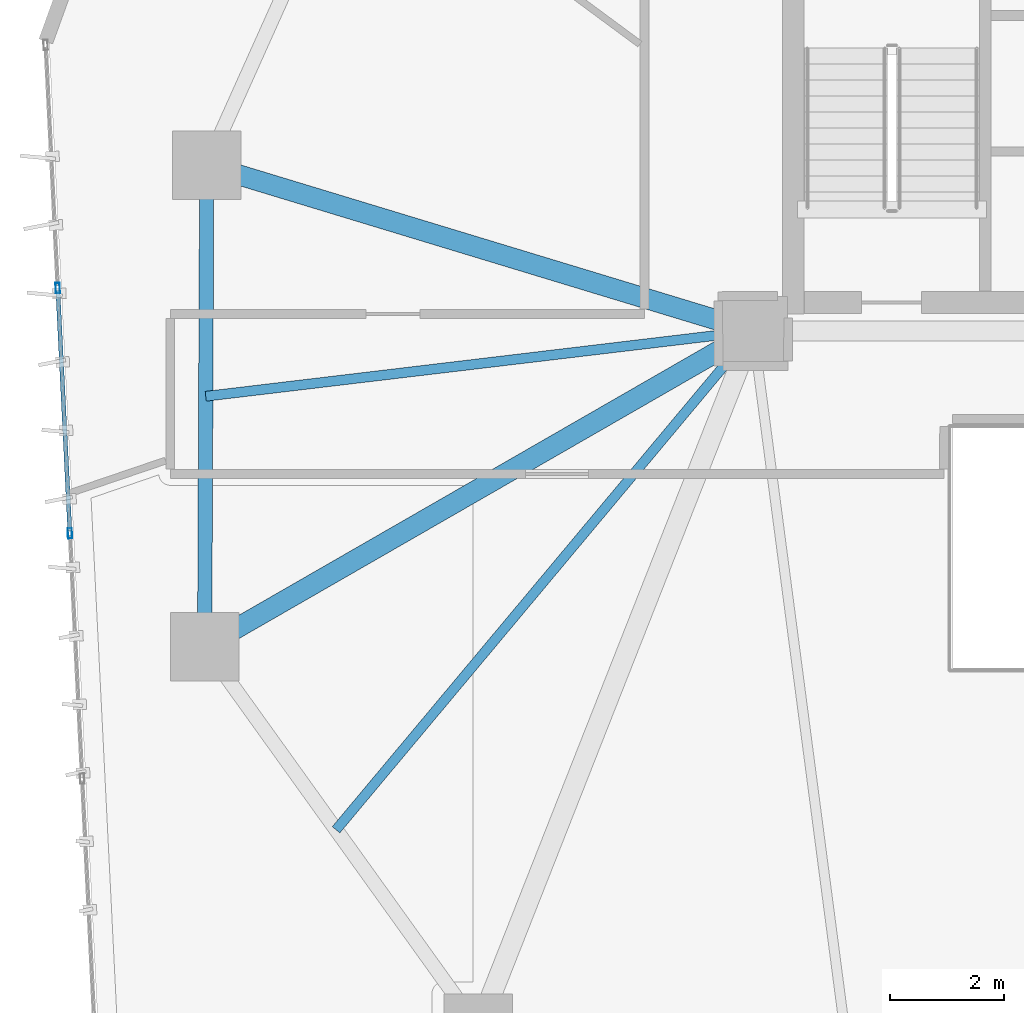
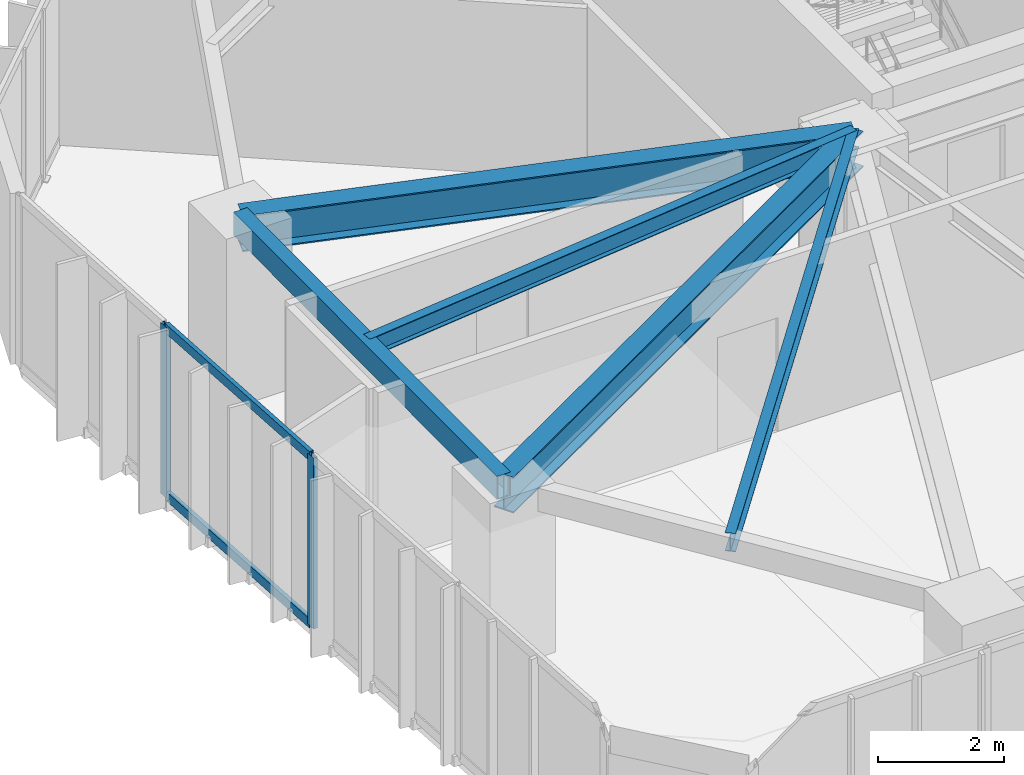
# One storey, part 4 of 21: 5 beams, 4 members, 1 element without a shape of its own.
"""IFC4 building model written with IfcOpenShell, lengths in metres."""

from ifc_helpers import new_model, si_unit, direction, frame, origin, origin_2d, place, context, subcontext, project, spatial, hollow_rectangle, i_section, extrude, source, transform, mapped, material, layer, layer_set, material_profile, profile_set, type_object, type_shapes, element, aggregate, save


model = new_model("IFC4")

# Units and contexts
model_context = context("Model", 3, precision=1e-05, world=origin(), true_north=direction((0.0, 1.0)))
body_context = subcontext(model_context, "Body", "Model", "MODEL_VIEW")
ifc_project = project(units=[si_unit("LENGTHUNIT", "METRE"), si_unit("AREAUNIT", "SQUARE_METRE"), si_unit("VOLUMEUNIT", "CUBIC_METRE"), si_unit("PLANEANGLEUNIT", "RADIAN"), si_unit("MASSUNIT", "GRAM", prefix="KILO")], contexts=[model_context])

# Site, building, storey
site_placement = place(None, origin())
site = spatial("IfcSite", under=ifc_project, at=site_placement, CompositionType="ELEMENT")
building_placement = place(site_placement, origin())
building = spatial("IfcBuilding", under=site, at=building_placement, Name="Talar Marvaseh", CompositionType="ELEMENT")
storey_placement = place(building_placement, frame((0.0, 0.0, 93.0)))
storey = spatial("IfcBuildingStorey", under=building, at=storey_placement, Name="L23", CompositionType="ELEMENT", Elevation=93.0)

# Beams
ifc_material_1 = material(Name="Steel S355", Category="steel")
ifc_material_profile_1 = material_profile(ifc_material_1, hollow_rectangle(XDim=0.25, YDim=0.449951171875, WallThickness=0.01611328125, at=origin_2d()), Name="RHS450x250x16")
ifc_profile_set_1 = profile_set([ifc_material_profile_1], Name="Steel S355")
beam_type_1 = type_object("IfcBeamType", Name="Zone 2 Perimeter Spandrel Beam RHS450x250x16", PredefinedType="SPANDREL", material=ifc_profile_set_1)
beam_1_placement = place(storey_placement, frame((9.10107421875, 19.97705078125, 3.0849609375), z_axis=(0.004375628226, 0.999990426893, 0.0), x_axis=(-0.999990426893, 0.004375628226, 0.0)))
element("IfcBeam", 1, at=beam_1_placement, inside=storey, type_object=beam_type_1, Name="L23 Zone 2 Perimeter Spandrel Beam RHS450x250x16", PredefinedType="SPANDREL", context=body_context, shape_type="SweptSolid", body=[
    extrude(hollow_rectangle(XDim=0.25, YDim=0.449951171875, WallThickness=0.01611328125, at=origin_2d()), origin(), (0.0, 0.0, 1.0), 8.425048828125),
])
ifc_material_profile_2 = material_profile(ifc_material_1, i_section(OverallWidth=0.35498046875, OverallDepth=0.695068359375, WebThickness=0.015380859375, FlangeThickness=0.02490234375, at=origin_2d()), Name="W690x217")
ifc_profile_set_2 = profile_set([ifc_material_profile_2], Name="Steel S355")
beam_type_2 = type_object("IfcBeamType", Name="Zone 2 Radial Floor Girder W690x217", PredefinedType="BEAM", material=ifc_profile_set_2)
beam_2_placement = place(storey_placement, frame((9.10107421875, 19.97705078125, 2.96240234375), z_axis=(0.866765990926, 0.498715065919, 0.0), x_axis=(-0.498715065919, 0.866765990926, 0.0)))
element("IfcBeam", 2, at=beam_2_placement, inside=storey, type_object=beam_type_2, Name="L23 Zone 2 Radial Floor Girder W690x217", PredefinedType="BEAM", context=body_context, shape_type="SweptSolid", body=[
    extrude(i_section(OverallWidth=0.35498046875, OverallDepth=0.695068359375, WebThickness=0.015380859375, FlangeThickness=0.02490234375, at=origin_2d()), origin(), (0.0, 0.0, 1.0), 11.074462890625),
])
beam_3_placement = place(storey_placement, frame((9.137939453125, 28.402099609375, 2.96240234375), z_axis=(0.956898764921, -0.290421682546, 0.0), x_axis=(0.290421682546, 0.956898764921, 0.0)))
element("IfcBeam", 3, at=beam_3_placement, inside=storey, type_object=beam_type_2, Name="L23 Zone 2 Radial Floor Girder W690x217", PredefinedType="BEAM", context=body_context, shape_type="SweptSolid", body=[
    extrude(i_section(OverallWidth=0.35498046875, OverallDepth=0.695068359375, WebThickness=0.015380859375, FlangeThickness=0.02490234375, at=origin_2d()), origin(), (0.0, 0.0, 1.0), 9.99267578125),
])
ifc_material_profile_3 = material_profile(ifc_material_1, i_section(OverallWidth=0.172119140625, OverallDepth=0.35791015625, WebThickness=0.0078125, FlangeThickness=0.01318359375, at=origin_2d()), Name="W360x57")
ifc_profile_set_3 = profile_set([ifc_material_profile_3], Name="Steel S355")
beam_type_3 = type_object("IfcBeamType", Name="Zone 2 Secondary Floor Joist W360x57", PredefinedType="JOIST", material=ifc_profile_set_3)
beam_4_placement = place(storey_placement, frame((11.400146484375, 16.771484375, 3.131103515625), z_axis=(0.641534082313, 0.767094532135, 0.0), x_axis=(-0.767094532135, 0.641534082313, 0.0)))
element("IfcBeam", 4, at=beam_4_placement, inside=storey, type_object=beam_type_3, Name="L23 Zone 2 Secondary Floor Joist W360x57", PredefinedType="JOIST", context=body_context, shape_type="SweptSolid", body=[
    extrude(i_section(OverallWidth=0.172119140625, OverallDepth=0.35791015625, WebThickness=0.0078125, FlangeThickness=0.01318359375, at=origin_2d()), origin(), (0.0, 0.0, 1.0), 11.378662109375),
])
beam_5_placement = place(storey_placement, frame((9.1201171875, 24.35791015625, 3.131103515625), z_axis=(0.992968386245, 0.118379829018, 0.0), x_axis=(-0.118379829018, 0.992968386245, 0.0)))
element("IfcBeam", 5, at=beam_5_placement, inside=storey, type_object=beam_type_3, Name="L23 Zone 2 Secondary Floor Joist W360x57", PredefinedType="JOIST", context=body_context, shape_type="SweptSolid", body=[
    extrude(i_section(OverallWidth=0.172119140625, OverallDepth=0.35791015625, WebThickness=0.0078125, FlangeThickness=0.01318359375, at=origin_2d()), origin(), (0.0, 0.0, 1.0), 9.647705078125),
])

# Curtain wall, members
ifc_material_2 = material(Name="Architectural Aluminium", Category="aluminium")
ifc_layer = layer(ifc_material_2, 0.199951171875)
ifc_layer_set = layer_set([ifc_layer], Name="Architectural Aluminium")
curtain_wall_type = type_object("IfcCurtainWallType", Name="Unitised Acoustic Library Curtain Wall Z2", PredefinedType="NOTDEFINED", material=ifc_layer_set)
curtain_wall_placement = place(storey_placement, origin())
curtain_wall = element("IfcCurtainWall", 6, at=curtain_wall_placement, inside=storey, type_object=curtain_wall_type, Name="L23 Unitised Acoustic Library Curtain Wall Z2", PredefinedType="NOTDEFINED")
ifc_material_profile_4 = material_profile(ifc_material_2, hollow_rectangle(XDim=0.074951171875, YDim=0.179931640625, WallThickness=0.0048828125, at=origin_2d()), Name="RHS180x75x5")
ifc_profile_set_4 = profile_set([ifc_material_profile_4], Name="Architectural Aluminium")
member_type_1 = type_object("IfcMemberType", Name="Unitised Curtain Wall Standard Mullion RHS180x75x5", PredefinedType="MULLION", material=ifc_profile_set_4)
shared_shape_1 = source(origin(), body_context, "Body", "SweptSolid", [
    extrude(hollow_rectangle(XDim=0.074951171875, YDim=0.179931640625, WallThickness=0.0048828125, at=origin_2d()), origin(), (0.0, 0.0, 1.0), 3.31005859375),
])
type_shapes(member_type_1, [shared_shape_1])
member_1_placement = place(storey_placement, frame((6.743896484375, 21.960205078125, 0.0), z_axis=(0.0, 0.0, 1.0), x_axis=(-0.998766283229, -0.049657944832, 0.0)))
member_1 = element("IfcMember", 7, at=member_1_placement, type_object=member_type_1, Name="CW-Z2 mullion 3", PredefinedType="MULLION", context=body_context, shape_type="MappedRepresentation", body=[
    mapped(shared_shape_1, transform((0.0, 0.0, 0.0), x_axis=(1.0, 0.0, 0.0), y_axis=(0.0, 1.0, 0.0), z_axis=(0.0, 0.0, 1.0), scale=1.0)),
])
member_2_placement = place(storey_placement, frame((6.530517578125, 26.252685546875, 0.0), z_axis=(0.0, 0.0, 1.0), x_axis=(-0.998766283229, -0.049657944832, 0.0)))
member_2 = element("IfcMember", 8, at=member_2_placement, type_object=member_type_1, Name="CW-Z2 mullion 4", PredefinedType="MULLION", context=body_context, shape_type="MappedRepresentation", body=[
    mapped(shared_shape_1, transform((0.0, 0.0, 0.0), x_axis=(1.0, 0.0, 0.0), y_axis=(0.0, 1.0, 0.0), z_axis=(0.0, 0.0, 1.0), scale=1.0)),
])
ifc_material_profile_5 = material_profile(ifc_material_2, hollow_rectangle(XDim=0.074951171875, YDim=0.179931640625, WallThickness=0.0048828125, at=origin_2d()), Name="RHS180x75x5")
ifc_profile_set_5 = profile_set([ifc_material_profile_5], Name="Architectural Aluminium")
member_type_2 = type_object("IfcMemberType", Name="Unitised Curtain Wall Transom RHS180x75x5", PredefinedType="USERDEFINED", material=ifc_profile_set_5)
shared_shape_2 = source(origin(), body_context, "Body", "SweptSolid", [
    extrude(hollow_rectangle(XDim=0.074951171875, YDim=0.179931640625, WallThickness=0.0048828125, at=origin_2d()), origin(), (0.0, 0.0, 1.0), 4.222900390625),
])
type_shapes(member_type_2, [shared_shape_2])
member_3_placement = place(storey_placement, frame((6.741943359375, 21.99755859375, 0.03759765625), z_axis=(-0.049660807769, 0.998766140882, 0.0), x_axis=(-0.998766140882, -0.049660807769, 0.0)))
member_3 = element("IfcMember", 9, at=member_3_placement, type_object=member_type_2, Name="CW-Z2 transom 3.1", ObjectType="TRANSOM", PredefinedType="USERDEFINED", context=body_context, shape_type="MappedRepresentation", body=[
    mapped(shared_shape_2, transform((0.0, 0.0, 0.0), x_axis=(1.0, 0.0, 0.0), y_axis=(0.0, 1.0, 0.0), z_axis=(0.0, 0.0, 1.0), scale=1.0)),
])
member_4_placement = place(storey_placement, frame((6.741943359375, 21.99755859375, 3.2724609375), z_axis=(-0.049660807769, 0.998766140882, 0.0), x_axis=(-0.998766140882, -0.049660807769, 0.0)))
member_4 = element("IfcMember", 10, at=member_4_placement, type_object=member_type_2, Name="CW-Z2 transom 3.2", ObjectType="TRANSOM", PredefinedType="USERDEFINED", context=body_context, shape_type="MappedRepresentation", body=[
    mapped(shared_shape_2, transform((0.0, 0.0, 0.0), x_axis=(1.0, 0.0, 0.0), y_axis=(0.0, 1.0, 0.0), z_axis=(0.0, 0.0, 1.0), scale=1.0)),
])
aggregate(curtain_wall, [member_1, member_2, member_3, member_4])

save(model, "model.ifc")
